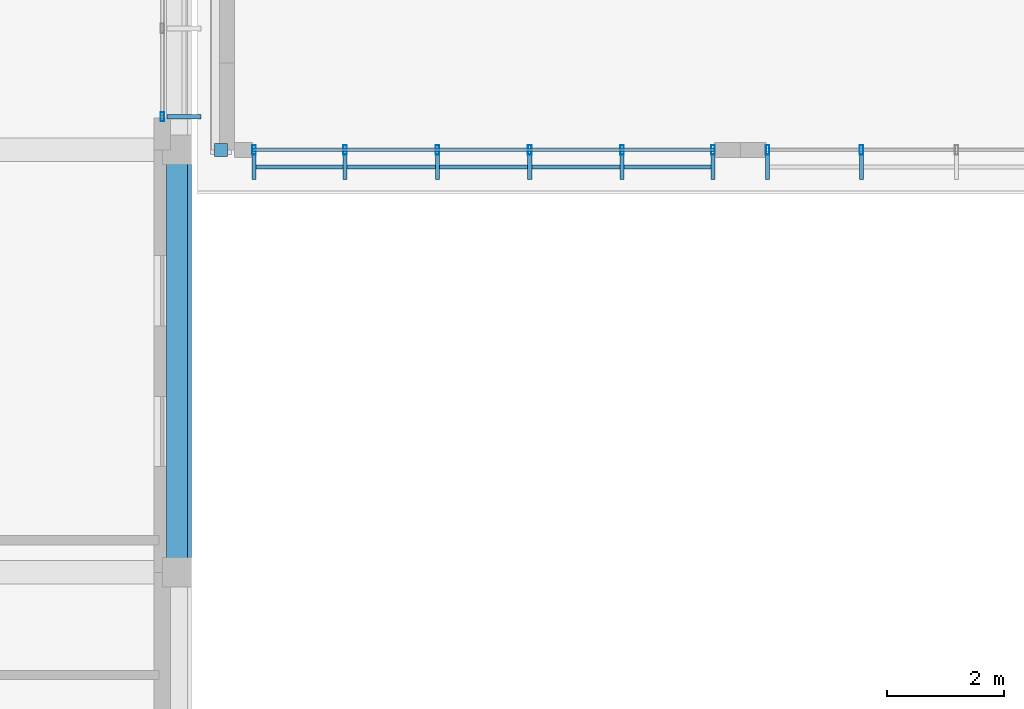
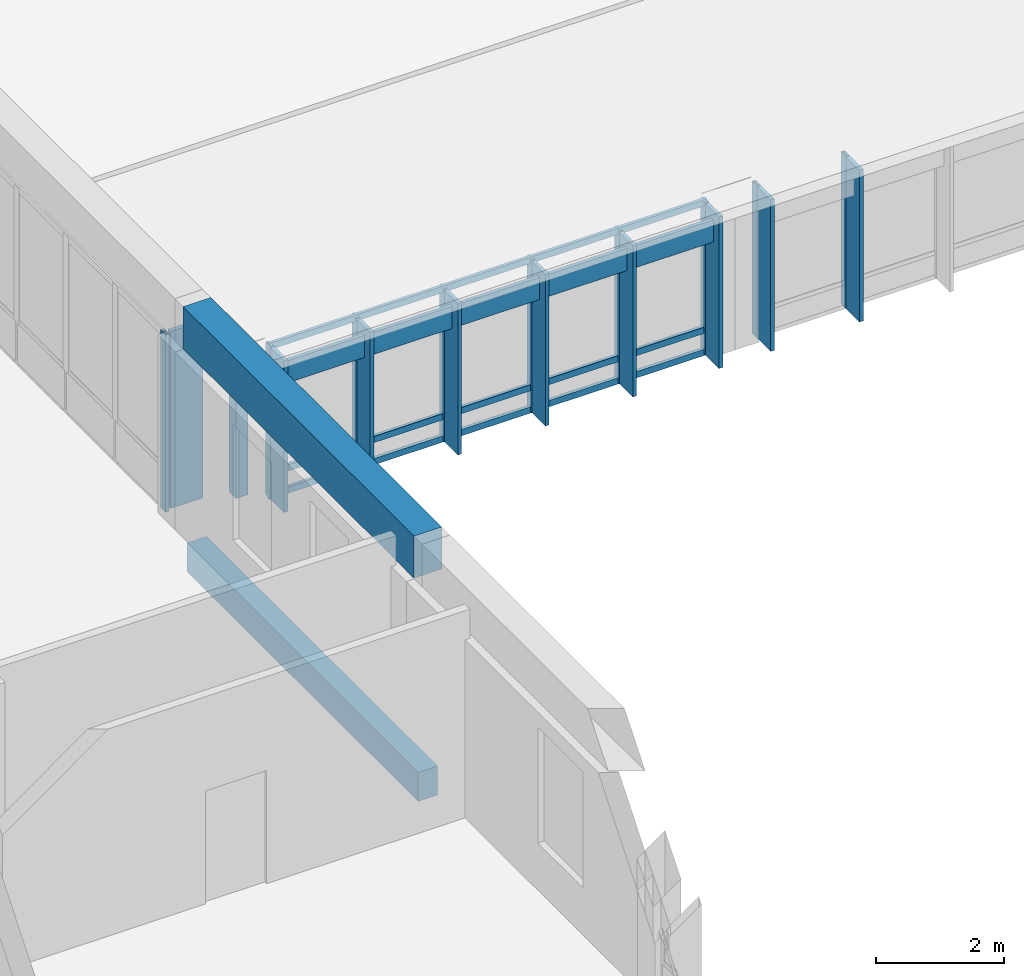
# One storey, part 30 of 182: 23 members, 2 beams, 3 elements without a shape of their own.
"""IFC4 building model written with IfcOpenShell, lengths in metres."""

from ifc_helpers import new_model, si_unit, direction, frame, origin, origin_2d, place, context, subcontext, project, spatial, rectangle, hollow_rectangle, extrude, material, material_profile, profile_set, type_object, element, aggregate, save


model = new_model("IFC4")

# Units and contexts
model_context = context("Model", 3, precision=1e-05, world=origin(), true_north=direction((0.0, 1.0)))
body_context = subcontext(model_context, "Body", "Model", "MODEL_VIEW")
ifc_project = project(units=[si_unit("LENGTHUNIT", "METRE"), si_unit("AREAUNIT", "SQUARE_METRE"), si_unit("VOLUMEUNIT", "CUBIC_METRE"), si_unit("PLANEANGLEUNIT", "RADIAN"), si_unit("MASSUNIT", "GRAM", prefix="KILO")], contexts=[model_context])

# Site, building, storey
site_placement = place(None, origin())
site = spatial("IfcSite", under=ifc_project, at=site_placement, CompositionType="ELEMENT")
building_placement = place(site_placement, origin())
building = spatial("IfcBuilding", under=site, at=building_placement, Name="Chiffa Square Polytechnic", CompositionType="ELEMENT")
storey_placement = place(building_placement, frame((0.0, 0.0, 9.60009765625)))
storey = spatial("IfcBuildingStorey", under=building, at=storey_placement, Name="L02", CompositionType="ELEMENT", Elevation=9.60009765625)

# Beams
ifc_material_1 = material(Name="Concrete C35/45", Category="concrete")
ifc_material_profile_1 = material_profile(ifc_material_1, rectangle(XDim=0.35009765625, YDim=0.550048828125, at=origin_2d()), Name="RC 350x550")
ifc_profile_set_1 = profile_set([ifc_material_profile_1], Name="Concrete C35/45")
beam_type_1 = type_object("IfcBeamType", Name="BM-RC-350X550", PredefinedType="BEAM", material=ifc_profile_set_1)
beam_1_placement = place(storey_placement, frame((48.0, 14.39990234375, -0.59521484375), z_axis=(0.0, 1.0, 0.0), x_axis=(-1.0, 0.0, 0.0)))
element("IfcBeam", 1, at=beam_1_placement, inside=storey, type_object=beam_type_1, Name="Primary floor girder BM-V3-L02-Y-0480-0144", PredefinedType="BEAM", context=body_context, shape_type="SweptSolid", body=[
    extrude(rectangle(XDim=0.35009765625, YDim=0.550048828125, at=origin_2d()), origin(), (0.0, 0.0, 1.0), 7.2001953125),
])
ifc_material_2 = material(Name="Concrete C40/50", Category="concrete")
ifc_material_profile_2 = material_profile(ifc_material_2, rectangle(XDim=0.5, YDim=0.800048828125, at=origin_2d()), Name="RC 500x800")
ifc_profile_set_2 = profile_set([ifc_material_profile_2], Name="Concrete C40/50")
beam_type_2 = type_object("IfcBeamType", Name="BM-RC-500X800", PredefinedType="BEAM", material=ifc_profile_set_2)
beam_2_placement = place(storey_placement, frame((48.0, 14.39990234375, 3.7998046875), z_axis=(0.0, 1.0, 0.0), x_axis=(-1.0, 0.0, 0.0)))
element("IfcBeam", 2, at=beam_2_placement, inside=storey, type_object=beam_type_2, Name="Lecture east eave ring beam BM-V3-EAVTIE-E3", PredefinedType="BEAM", context=body_context, shape_type="SweptSolid", body=[
    extrude(rectangle(XDim=0.5, YDim=0.800048828125, at=origin_2d()), origin(), (0.0, 0.0, 1.0), 7.2001953125),
])

# Curtain wall, member
ifc_material_3 = material(Name="Aluminium EN AW-6060 T66 and glulam shading", Category="wood")
curtain_wall_type_1 = type_object("IfcCurtainWallType", Name="CW-VERT-450X380", PredefinedType="USERDEFINED", material=ifc_material_3)
curtain_wall_1_placement = place(storey_placement, origin())
curtain_wall_1 = element("IfcCurtainWall", 3, at=curtain_wall_1_placement, inside=storey, type_object=curtain_wall_type_1, Name="Curtain wall CW-V3-L02-170", ObjectType="CURTAIN WALL", PredefinedType="USERDEFINED")
ifc_material_4 = material(Name="Aluminium EN AW-6060 T66", Category="aluminium")
ifc_material_profile_3 = material_profile(ifc_material_4, hollow_rectangle(XDim=0.06005859375, YDim=0.159912109375, WallThickness=0.00390625, at=origin_2d()), Name="ALU 60x160x4")
ifc_profile_set_3 = profile_set([ifc_material_profile_3], Name="Aluminium EN AW-6060 T66")
member_type_1 = type_object("IfcMemberType", Name="CWM-ALU-65X150", PredefinedType="MULLION", material=ifc_profile_set_3)
member_1_placement = place(storey_placement, frame((47.75, 22.1650390625, 0.0), z_axis=(0.0, 0.0, 1.0), x_axis=(1.0, 0.0, 0.0)))
member_1 = element("IfcMember", 4, at=member_1_placement, type_object=member_type_1, Name="Curtain wall mullion CW-V3-L02-170-M00", PredefinedType="MULLION", context=body_context, shape_type="SweptSolid", body=[
    extrude(hollow_rectangle(XDim=0.06005859375, YDim=0.159912109375, WallThickness=0.00390625, at=origin_2d()), origin(), (0.0, 0.0, 1.0), 3.385009765625),
])

# Curtain wall, members
curtain_wall_type_2 = type_object("IfcCurtainWallType", Name="CW-VERT-600X440", PredefinedType="USERDEFINED", material=ifc_material_3)
curtain_wall_2_placement = place(storey_placement, origin())
curtain_wall_2 = element("IfcCurtainWall", 5, at=curtain_wall_2_placement, inside=storey, type_object=curtain_wall_type_2, Name="Curtain wall CW-V4-CLRS-01", ObjectType="CURTAIN WALL", PredefinedType="USERDEFINED")
member_2_placement = place(storey_placement, frame((49.31494140625, 21.60009765625, 0.039794921875), z_axis=(0.0, 0.0, 1.0), x_axis=(1.0, 0.0, 0.0)))
member_2 = element("IfcMember", 6, at=member_2_placement, type_object=member_type_1, Name="Curtain wall mullion CW-V4-CLRS-01-M00", PredefinedType="MULLION", context=body_context, shape_type="SweptSolid", body=[
    extrude(hollow_rectangle(XDim=0.06005859375, YDim=0.159912109375, WallThickness=0.00390625, at=origin_2d()), origin(), (0.0, 0.0, 1.0), 2.902099609375),
])
member_3_placement = place(storey_placement, frame((50.864013671875, 21.60009765625, 0.039794921875), z_axis=(0.0, 0.0, 1.0), x_axis=(1.0, 0.0, 0.0)))
member_3 = element("IfcMember", 7, at=member_3_placement, type_object=member_type_1, Name="Curtain wall mullion CW-V4-CLRS-01-M01", PredefinedType="MULLION", context=body_context, shape_type="SweptSolid", body=[
    extrude(hollow_rectangle(XDim=0.06005859375, YDim=0.159912109375, WallThickness=0.00390625, at=origin_2d()), origin(), (0.0, 0.0, 1.0), 2.902099609375),
])
member_4_placement = place(storey_placement, frame((52.43798828125, 21.60009765625, 0.039794921875), z_axis=(0.0, 0.0, 1.0), x_axis=(1.0, 0.0, 0.0)))
member_4 = element("IfcMember", 8, at=member_4_placement, type_object=member_type_1, Name="Curtain wall mullion CW-V4-CLRS-01-M02", PredefinedType="MULLION", context=body_context, shape_type="SweptSolid", body=[
    extrude(hollow_rectangle(XDim=0.06005859375, YDim=0.159912109375, WallThickness=0.00390625, at=origin_2d()), origin(), (0.0, 0.0, 1.0), 2.902099609375),
])
member_5_placement = place(storey_placement, frame((54.011962890625, 21.60009765625, 0.039794921875), z_axis=(0.0, 0.0, 1.0), x_axis=(1.0, 0.0, 0.0)))
member_5 = element("IfcMember", 9, at=member_5_placement, type_object=member_type_1, Name="Curtain wall mullion CW-V4-CLRS-01-M03", PredefinedType="MULLION", context=body_context, shape_type="SweptSolid", body=[
    extrude(hollow_rectangle(XDim=0.06005859375, YDim=0.159912109375, WallThickness=0.00390625, at=origin_2d()), origin(), (0.0, 0.0, 1.0), 2.902099609375),
])
member_6_placement = place(storey_placement, frame((55.5859375, 21.60009765625, 0.039794921875), z_axis=(0.0, 0.0, 1.0), x_axis=(1.0, 0.0, 0.0)))
member_6 = element("IfcMember", 10, at=member_6_placement, type_object=member_type_1, Name="Curtain wall mullion CW-V4-CLRS-01-M04", PredefinedType="MULLION", context=body_context, shape_type="SweptSolid", body=[
    extrude(hollow_rectangle(XDim=0.06005859375, YDim=0.159912109375, WallThickness=0.00390625, at=origin_2d()), origin(), (0.0, 0.0, 1.0), 2.902099609375),
])
member_7_placement = place(storey_placement, frame((57.135009765625, 21.60009765625, 0.039794921875), z_axis=(0.0, 0.0, 1.0), x_axis=(1.0, 0.0, 0.0)))
member_7 = element("IfcMember", 11, at=member_7_placement, type_object=member_type_1, Name="Curtain wall mullion CW-V4-CLRS-01-M05", PredefinedType="MULLION", context=body_context, shape_type="SweptSolid", body=[
    extrude(hollow_rectangle(XDim=0.06005859375, YDim=0.159912109375, WallThickness=0.00390625, at=origin_2d()), origin(), (0.0, 0.0, 1.0), 2.902099609375),
])

curtain_wall_3_placement = place(storey_placement, origin())
curtain_wall_3 = element("IfcCurtainWall", 12, at=curtain_wall_3_placement, inside=storey, type_object=curtain_wall_type_1, Name="Curtain wall CW-V4-CLRS-02", ObjectType="CURTAIN WALL", PredefinedType="USERDEFINED")
member_8_placement = place(storey_placement, frame((58.06494140625, 21.60009765625, 0.039794921875), z_axis=(0.0, 0.0, 1.0), x_axis=(1.0, 0.0, 0.0)))
member_8 = element("IfcMember", 13, at=member_8_placement, type_object=member_type_1, Name="Curtain wall mullion CW-V4-CLRS-02-M00", PredefinedType="MULLION", context=body_context, shape_type="SweptSolid", body=[
    extrude(hollow_rectangle(XDim=0.06005859375, YDim=0.159912109375, WallThickness=0.00390625, at=origin_2d()), origin(), (0.0, 0.0, 1.0), 2.902099609375),
])
member_9_placement = place(storey_placement, frame((59.6640625, 21.60009765625, 0.039794921875), z_axis=(0.0, 0.0, 1.0), x_axis=(1.0, 0.0, 0.0)))
member_9 = element("IfcMember", 14, at=member_9_placement, type_object=member_type_1, Name="Curtain wall mullion CW-V4-CLRS-02-M01", PredefinedType="MULLION", context=body_context, shape_type="SweptSolid", body=[
    extrude(hollow_rectangle(XDim=0.06005859375, YDim=0.159912109375, WallThickness=0.00390625, at=origin_2d()), origin(), (0.0, 0.0, 1.0), 2.902099609375),
])

# Member
ifc_material_5 = material(Name="Glulam GL28h", Category="wood")
ifc_material_profile_4 = material_profile(ifc_material_5, rectangle(XDim=0.070068359375, YDim=0.419921875, at=origin_2d()), Name="GL28h 70x420")
ifc_profile_set_4 = profile_set([ifc_material_profile_4], Name="Glulam GL28h")
member_type_2 = type_object("IfcMemberType", Name="CWM-GL-70X420", PredefinedType="MULLION", material=ifc_profile_set_4)
member_10_placement = place(storey_placement, frame((49.31494140625, 21.30810546875, 0.0498046875), z_axis=(0.0, 0.0, 1.0), x_axis=(1.0, 0.0, 0.0)))
member_10 = element("IfcMember", 15, at=member_10_placement, type_object=member_type_2, Name="Exterior glulam solar fin CW-V4-CLRS-01-FN00", PredefinedType="MULLION", context=body_context, shape_type="SweptSolid", body=[
    extrude(rectangle(XDim=0.070068359375, YDim=0.419921875, at=origin_2d()), origin(), (0.0, 0.0, 1.0), 2.882080078125),
])

member_11_placement = place(storey_placement, frame((50.864013671875, 21.30810546875, 0.0498046875), z_axis=(0.0, 0.0, 1.0), x_axis=(1.0, 0.0, 0.0)))
member_11 = element("IfcMember", 16, at=member_11_placement, type_object=member_type_2, Name="Exterior glulam solar fin CW-V4-CLRS-01-FN01", PredefinedType="MULLION", context=body_context, shape_type="SweptSolid", body=[
    extrude(rectangle(XDim=0.070068359375, YDim=0.419921875, at=origin_2d()), origin(), (0.0, 0.0, 1.0), 2.882080078125),
])

member_12_placement = place(storey_placement, frame((52.43798828125, 21.30810546875, 0.0498046875), z_axis=(0.0, 0.0, 1.0), x_axis=(1.0, 0.0, 0.0)))
member_12 = element("IfcMember", 17, at=member_12_placement, type_object=member_type_2, Name="Exterior glulam solar fin CW-V4-CLRS-01-FN02", PredefinedType="MULLION", context=body_context, shape_type="SweptSolid", body=[
    extrude(rectangle(XDim=0.070068359375, YDim=0.419921875, at=origin_2d()), origin(), (0.0, 0.0, 1.0), 2.882080078125),
])

member_13_placement = place(storey_placement, frame((54.011962890625, 21.30810546875, 0.0498046875), z_axis=(0.0, 0.0, 1.0), x_axis=(1.0, 0.0, 0.0)))
member_13 = element("IfcMember", 18, at=member_13_placement, type_object=member_type_2, Name="Exterior glulam solar fin CW-V4-CLRS-01-FN03", PredefinedType="MULLION", context=body_context, shape_type="SweptSolid", body=[
    extrude(rectangle(XDim=0.070068359375, YDim=0.419921875, at=origin_2d()), origin(), (0.0, 0.0, 1.0), 2.882080078125),
])

member_14_placement = place(storey_placement, frame((55.5859375, 21.30810546875, 0.0498046875), z_axis=(0.0, 0.0, 1.0), x_axis=(1.0, 0.0, 0.0)))
member_14 = element("IfcMember", 19, at=member_14_placement, type_object=member_type_2, Name="Exterior glulam solar fin CW-V4-CLRS-01-FN04", PredefinedType="MULLION", context=body_context, shape_type="SweptSolid", body=[
    extrude(rectangle(XDim=0.070068359375, YDim=0.419921875, at=origin_2d()), origin(), (0.0, 0.0, 1.0), 2.882080078125),
])

member_15_placement = place(storey_placement, frame((57.135009765625, 21.30810546875, 0.0498046875), z_axis=(0.0, 0.0, 1.0), x_axis=(1.0, 0.0, 0.0)))
member_15 = element("IfcMember", 20, at=member_15_placement, type_object=member_type_2, Name="Exterior glulam solar fin CW-V4-CLRS-01-FN05", PredefinedType="MULLION", context=body_context, shape_type="SweptSolid", body=[
    extrude(rectangle(XDim=0.070068359375, YDim=0.419921875, at=origin_2d()), origin(), (0.0, 0.0, 1.0), 2.882080078125),
])

member_16_placement = place(storey_placement, frame((58.06494140625, 21.30810546875, 0.0498046875), z_axis=(0.0, 0.0, 1.0), x_axis=(1.0, 0.0, 0.0)))
member_16 = element("IfcMember", 21, at=member_16_placement, type_object=member_type_2, Name="Exterior glulam solar fin CW-V4-CLRS-02-FN00", PredefinedType="MULLION", context=body_context, shape_type="SweptSolid", body=[
    extrude(rectangle(XDim=0.070068359375, YDim=0.419921875, at=origin_2d()), origin(), (0.0, 0.0, 1.0), 2.882080078125),
])

member_17_placement = place(storey_placement, frame((59.6640625, 21.30810546875, 0.0498046875), z_axis=(0.0, 0.0, 1.0), x_axis=(1.0, 0.0, 0.0)))
member_17 = element("IfcMember", 22, at=member_17_placement, type_object=member_type_2, Name="Exterior glulam solar fin CW-V4-CLRS-02-FN01", PredefinedType="MULLION", context=body_context, shape_type="SweptSolid", body=[
    extrude(rectangle(XDim=0.070068359375, YDim=0.419921875, at=origin_2d()), origin(), (0.0, 0.0, 1.0), 2.882080078125),
])

aggregate(curtain_wall_3, [member_8, member_16, member_9, member_17])

ifc_material_profile_5 = material_profile(ifc_material_5, rectangle(XDim=0.080078125, YDim=0.580078125, at=origin_2d()), Name="GL28h 80x580")
ifc_profile_set_5 = profile_set([ifc_material_profile_5], Name="Glulam GL28h")
member_type_3 = type_object("IfcMemberType", Name="CWM-GL-80X580", PredefinedType="MULLION", material=ifc_profile_set_5)
member_18_placement = place(storey_placement, frame((48.1220703125, 22.1650390625, 0.010009765625), z_axis=(0.0, 0.0, 1.0), x_axis=(0.0, 1.0, 0.0)))
member_18 = element("IfcMember", 23, at=member_18_placement, type_object=member_type_3, Name="Exterior glulam solar fin CW-V3-L02-170-FN00", PredefinedType="MULLION", context=body_context, shape_type="SweptSolid", body=[
    extrude(rectangle(XDim=0.080078125, YDim=0.580078125, at=origin_2d()), origin(), (0.0, 0.0, 1.0), 3.364990234375),
])

aggregate(curtain_wall_1, [member_1, member_18])

ifc_material_profile_6 = material_profile(ifc_material_4, hollow_rectangle(XDim=0.06005859375, YDim=0.1201171875, WallThickness=0.00390625, at=origin_2d()), Name="ALU 60x120x4")
ifc_profile_set_6 = profile_set([ifc_material_profile_6], Name="Aluminium EN AW-6060 T66")
member_type_4 = type_object("IfcMemberType", Name="CWT-ALU-65X120", PredefinedType="USERDEFINED", material=ifc_profile_set_6)
member_19_placement = place(storey_placement, frame((49.2880859375, 21.60009765625, 0.06982421875), z_axis=(1.0, 0.0, 0.0), x_axis=(0.0, 1.0, 0.0)))
member_19 = element("IfcMember", 24, at=member_19_placement, type_object=member_type_4, Name="Curtain wall transom CW-V4-CLRS-01-T01", ObjectType="TRANSOM", PredefinedType="USERDEFINED", context=body_context, shape_type="SweptSolid", body=[
    extrude(hollow_rectangle(XDim=0.06005859375, YDim=0.1201171875, WallThickness=0.00390625, at=origin_2d()), origin(), (0.0, 0.0, 1.0), 7.8740234375),
])

member_20_placement = place(storey_placement, frame((49.2880859375, 21.60009765625, 0.489990234375), z_axis=(1.0, 0.0, 0.0), x_axis=(0.0, 1.0, 0.0)))
member_20 = element("IfcMember", 25, at=member_20_placement, type_object=member_type_4, Name="Curtain wall transom CW-V4-CLRS-01-T02", ObjectType="TRANSOM", PredefinedType="USERDEFINED", context=body_context, shape_type="SweptSolid", body=[
    extrude(hollow_rectangle(XDim=0.06005859375, YDim=0.1201171875, WallThickness=0.00390625, at=origin_2d()), origin(), (0.0, 0.0, 1.0), 7.8740234375),
])

member_21_placement = place(storey_placement, frame((49.2880859375, 21.60009765625, 2.911865234375), z_axis=(1.0, 0.0, 0.0), x_axis=(0.0, 1.0, 0.0)))
member_21 = element("IfcMember", 26, at=member_21_placement, type_object=member_type_4, Name="Curtain wall transom CW-V4-CLRS-01-T03", ObjectType="TRANSOM", PredefinedType="USERDEFINED", context=body_context, shape_type="SweptSolid", body=[
    extrude(hollow_rectangle(XDim=0.06005859375, YDim=0.1201171875, WallThickness=0.00390625, at=origin_2d()), origin(), (0.0, 0.0, 1.0), 7.8740234375),
])

ifc_material_profile_7 = material_profile(ifc_material_5, rectangle(XDim=0.070068359375, YDim=0.419921875, at=origin_2d()), Name="GL28h 70x420")
ifc_profile_set_7 = profile_set([ifc_material_profile_7], Name="Glulam GL28h")
member_type_5 = type_object("IfcMemberType", Name="CWT-GL-70X420", PredefinedType="USERDEFINED", material=ifc_profile_set_7)
member_22_placement = place(storey_placement, frame((49.31494140625, 21.30810546875, 2.56201171875), z_axis=(1.0, 0.0, 0.0), x_axis=(0.0, 1.0, 0.0)))
member_22 = element("IfcMember", 27, at=member_22_placement, type_object=member_type_5, Name="Exterior glulam brise-soleil CW-V4-CLRS-01-BS01", ObjectType="TRANSOM", PredefinedType="USERDEFINED", context=body_context, shape_type="SweptSolid", body=[
    extrude(rectangle(XDim=0.070068359375, YDim=0.419921875, at=origin_2d()), origin(), (0.0, 0.0, 1.0), 7.820068359375),
])

aggregate(curtain_wall_2, [member_2, member_10, member_3, member_11, member_4, member_12, member_5, member_13, member_6, member_14, member_7, member_15, member_19, member_20, member_21, member_22])

ifc_material_profile_8 = material_profile(ifc_material_5, rectangle(XDim=0.219970703125, YDim=0.219970703125, at=origin_2d()), Name="GL28h 220x220")
ifc_profile_set_8 = profile_set([ifc_material_profile_8], Name="Glulam GL28h")
member_type_6 = type_object("IfcMemberType", Name="MEM-WEB-GL220", PredefinedType="MEMBER", material=ifc_profile_set_8)
member_23_placement = place(storey_placement, frame((48.75, 21.60009765625, 0.2998046875), z_axis=(0.0, 0.0, 1.0), x_axis=(1.0, 0.0, 0.0)))
element("IfcMember", 28, at=member_23_placement, inside=storey, type_object=member_type_6, Name="Refectory butterfly vertical TWV-V4-S01-1", PredefinedType="MEMBER", context=body_context, shape_type="SweptSolid", body=[
    extrude(rectangle(XDim=0.219970703125, YDim=0.219970703125, at=origin_2d()), origin(), (0.0, 0.0, 1.0), 2.162109375),
])

save(model, "model.ifc")
